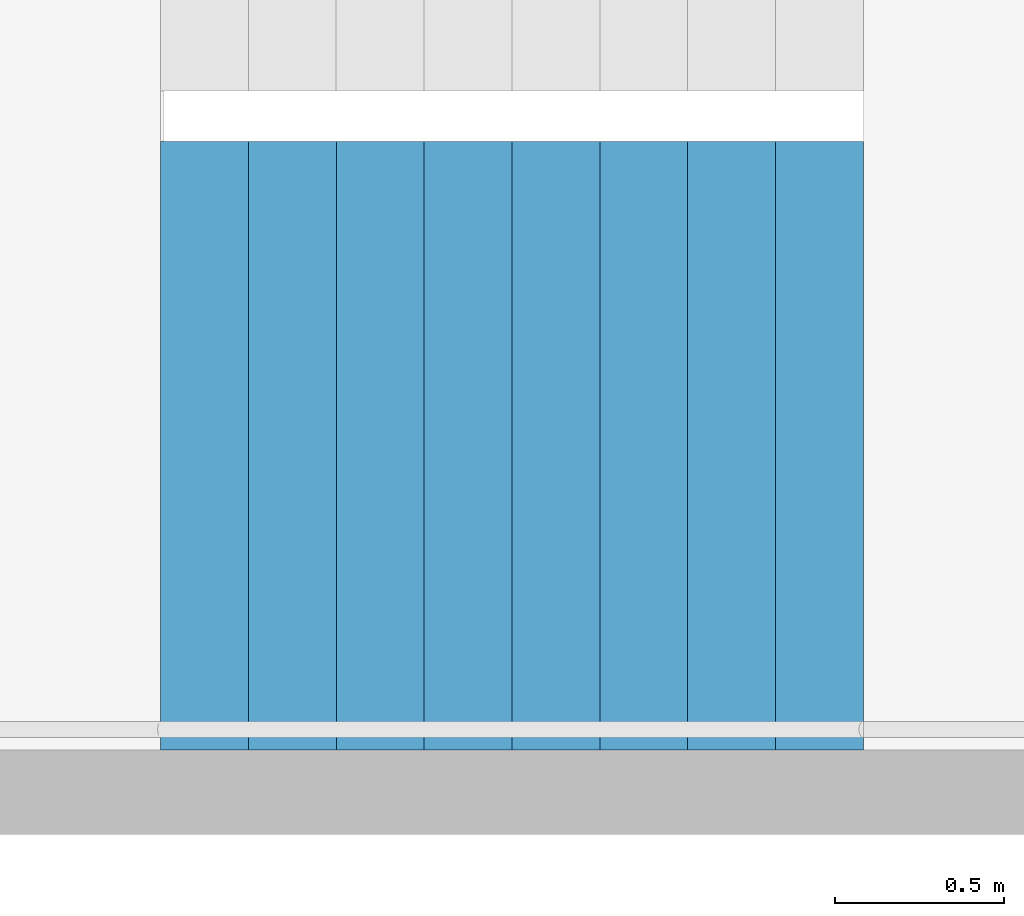
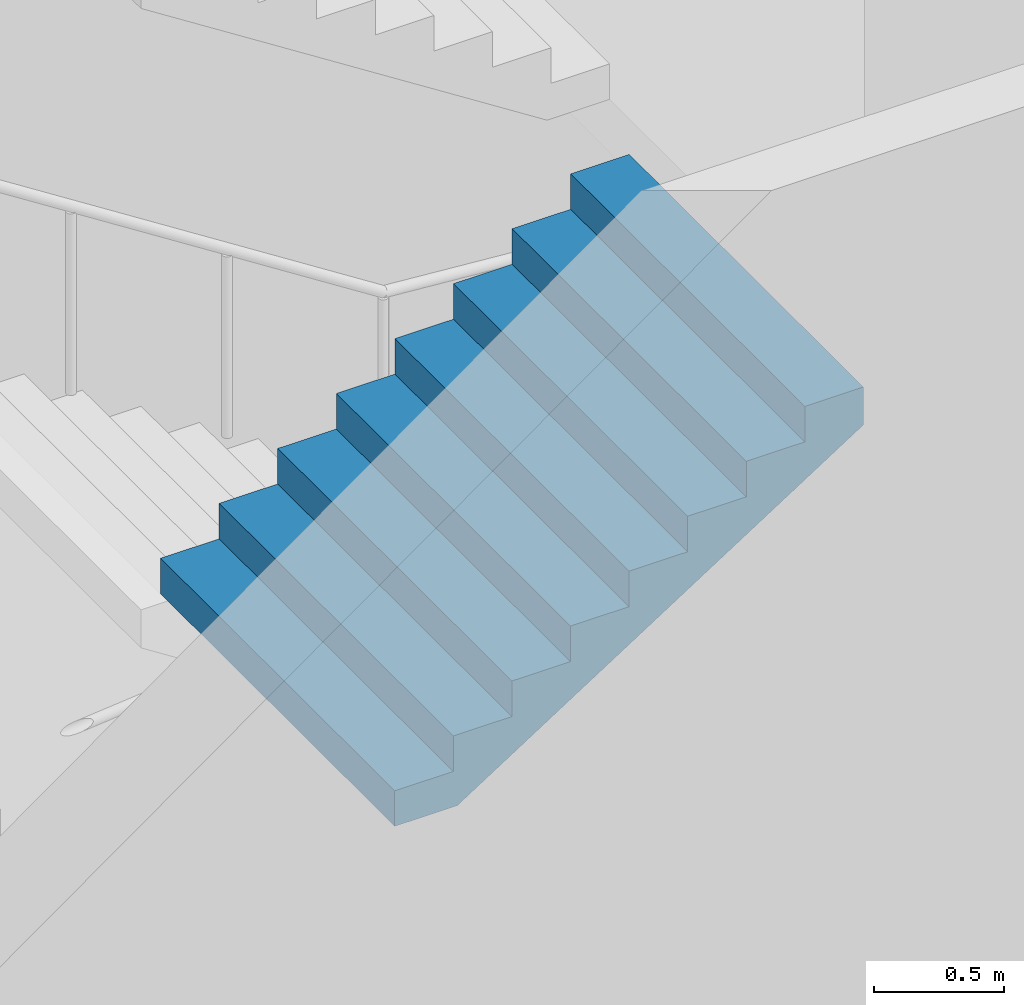
# One storey, part 55 of 100: 1 stair flight, 1 element without a shape of its own.
"""IFC4 building model written with IfcOpenShell, lengths in metres."""

from ifc_helpers import new_model, si_unit, direction, frame, origin, place, context, subcontext, project, spatial, triangles, material, type_object, element, aggregate, save


model = new_model("IFC4")

# Units and contexts
model_context = context("Model", 3, precision=1e-05, world=origin(), true_north=direction((0.0, 1.0)))
body_context = subcontext(model_context, "Body", "Model", "MODEL_VIEW")
ifc_project = project(units=[si_unit("LENGTHUNIT", "METRE"), si_unit("AREAUNIT", "SQUARE_METRE"), si_unit("VOLUMEUNIT", "CUBIC_METRE"), si_unit("PLANEANGLEUNIT", "RADIAN"), si_unit("MASSUNIT", "GRAM", prefix="KILO")], contexts=[model_context])

# Site, building, storey
site_placement = place(None, origin())
site = spatial("IfcSite", under=ifc_project, at=site_placement, CompositionType="ELEMENT")
building_placement = place(site_placement, origin())
building = spatial("IfcBuilding", under=site, at=building_placement, Name="Hakoniwa Tower and Hamabe Station Hall", CompositionType="ELEMENT")
storey_placement = place(building_placement, frame((0.0, 0.0, 9.0)))
storey = spatial("IfcBuildingStorey", under=building, at=storey_placement, Name="L02", CompositionType="ELEMENT", Elevation=9.0)

# Stair, stair flight
ifc_material_1 = material(Name="Concrete C40", Category="concrete")
stair_type = type_object("IfcStairType", Name="ESCAPE STAIR 1800", PredefinedType="HALF_TURN_STAIR", material=ifc_material_1)
stair_placement = place(storey_placement, origin())
stair = element("IfcStair", 1, at=stair_placement, inside=storey, type_object=stair_type, Name="Escape stair ST-1 L02", PredefinedType="HALF_TURN_STAIR")
ifc_material_2 = material(Name="Concrete C40", Category="concrete")
stair_flight_type = type_object("IfcStairFlightType", Name="STAIR FLIGHT 1800", PredefinedType="STRAIGHT", material=ifc_material_2)
stair_flight_placement = place(storey_placement, frame((-24.39990234375, 4.64990234375, 3.0), z_axis=(0.0, 0.0, 1.0), x_axis=(1.0, 0.0, 0.0)))
stair_flight = element("IfcStairFlight", 2, at=stair_flight_placement, type_object=stair_flight_type, Name="ST-1 flight 3", NumberOfRisers=9, NumberOfTreads=8, PredefinedType="STRAIGHT", RiserHeight=0.166666667, TreadLength=0.26, context=body_context, shape_type="Tessellation", body=[
    triangles([(0.0, 0.89990234375, 0.0), (0.260009765625, 0.89990234375, 0.0), (0.27783203125, 0.89990234375, 0.0), (0.52001953125, 0.89990234375, 0.1552734375), (0.780029296875, 0.89990234375, 0.322021484375), (1.0400390625, 0.89990234375, 0.488525390625), (1.300048828125, 0.89990234375, 0.6552734375), (1.56005859375, 0.89990234375, 0.822021484375), (1.820068359375, 0.89990234375, 0.988525390625), (2.080078125, 0.89990234375, 1.1552734375), (2.080078125, 0.89990234375, 1.333251953125), (1.820068359375, 0.89990234375, 1.333251953125), (1.820068359375, 0.89990234375, 1.166748046875), (1.56005859375, 0.89990234375, 1.166748046875), (1.56005859375, 0.89990234375, 1.0), (1.300048828125, 0.89990234375, 1.0), (1.300048828125, 0.89990234375, 0.833251953125), (1.0400390625, 0.89990234375, 0.833251953125), (1.0400390625, 0.89990234375, 0.666748046875), (0.780029296875, 0.89990234375, 0.666748046875), (0.780029296875, 0.89990234375, 0.5), (0.52001953125, 0.89990234375, 0.5), (0.52001953125, 0.89990234375, 0.333251953125), (0.27783203125, 0.89990234375, 0.333251953125), (0.260009765625, 0.89990234375, 0.333251953125), (0.260009765625, 0.89990234375, 0.166748046875), (0.0, 0.89990234375, 0.166748046875), (0.0, 0.06005859375, 0.0), (0.260009765625, 0.06005859375, 0.0), (0.27783203125, 0.06005859375, 0.0), (0.52001953125, 0.06005859375, 0.1552734375), (0.780029296875, 0.06005859375, 0.322021484375), (1.0400390625, 0.06005859375, 0.488525390625), (1.300048828125, 0.06005859375, 0.6552734375), (1.56005859375, 0.06005859375, 0.822021484375), (1.820068359375, 0.06005859375, 0.988525390625), (2.080078125, 0.06005859375, 1.1552734375), (2.080078125, 0.06005859375, 1.333251953125), (1.820068359375, 0.06005859375, 1.333251953125), (1.820068359375, 0.06005859375, 1.166748046875), (1.56005859375, 0.06005859375, 1.166748046875), (1.56005859375, 0.06005859375, 1.0), (1.300048828125, 0.06005859375, 1.0), (1.300048828125, 0.06005859375, 0.833251953125), (1.0400390625, 0.06005859375, 0.833251953125), (1.0400390625, 0.06005859375, 0.666748046875), (0.780029296875, 0.06005859375, 0.666748046875), (0.780029296875, 0.06005859375, 0.5), (0.52001953125, 0.06005859375, 0.5), (0.52001953125, 0.06005859375, 0.333251953125), (0.27783203125, 0.06005859375, 0.333251953125), (0.260009765625, 0.06005859375, 0.333251953125), (0.260009765625, 0.06005859375, 0.166748046875), (0.0, 0.06005859375, 0.166748046875), (0.0, 0.04296875, 0.0), (0.260009765625, 0.04296875, 0.0), (0.27783203125, 0.04296875, 0.0), (0.52001953125, 0.04296875, 0.1552734375), (0.780029296875, 0.04296875, 0.322021484375), (1.0400390625, 0.04296875, 0.488525390625), (1.300048828125, 0.04296875, 0.6552734375), (1.56005859375, 0.04296875, 0.822021484375), (1.820068359375, 0.04296875, 0.988525390625), (2.080078125, 0.04296875, 1.1552734375), (2.080078125, 0.04296875, 1.333251953125), (1.820068359375, 0.04296875, 1.333251953125), (1.820068359375, 0.04296875, 1.166748046875), (1.56005859375, 0.04296875, 1.166748046875), (1.56005859375, 0.04296875, 1.0), (1.300048828125, 0.04296875, 1.0), (1.300048828125, 0.04296875, 0.833251953125), (1.0400390625, 0.04296875, 0.833251953125), (1.0400390625, 0.04296875, 0.666748046875), (0.780029296875, 0.04296875, 0.666748046875), (0.780029296875, 0.04296875, 0.5), (0.52001953125, 0.04296875, 0.5), (0.52001953125, 0.04296875, 0.333251953125), (0.27783203125, 0.04296875, 0.333251953125), (0.260009765625, 0.04296875, 0.333251953125), (0.260009765625, 0.04296875, 0.166748046875), (0.0, 0.04296875, 0.166748046875), (0.0, 0.025634765625, 0.0), (0.260009765625, 0.025634765625, 0.0), (0.27783203125, 0.025634765625, 0.0), (0.52001953125, 0.025634765625, 0.1552734375), (0.780029296875, 0.025634765625, 0.322021484375), (1.0400390625, 0.025634765625, 0.488525390625), (1.300048828125, 0.025634765625, 0.6552734375), (1.56005859375, 0.025634765625, 0.822021484375), (1.820068359375, 0.025634765625, 0.988525390625), (2.080078125, 0.025634765625, 1.1552734375), (2.080078125, 0.025634765625, 1.333251953125), (1.820068359375, 0.025634765625, 1.333251953125), (1.820068359375, 0.025634765625, 1.166748046875), (1.56005859375, 0.025634765625, 1.166748046875), (1.56005859375, 0.025634765625, 1.0), (1.300048828125, 0.025634765625, 1.0), (1.300048828125, 0.025634765625, 0.833251953125), (1.0400390625, 0.025634765625, 0.833251953125), (1.0400390625, 0.025634765625, 0.666748046875), (0.780029296875, 0.025634765625, 0.666748046875), (0.780029296875, 0.025634765625, 0.5), (0.52001953125, 0.025634765625, 0.5), (0.52001953125, 0.025634765625, 0.333251953125), (0.27783203125, 0.025634765625, 0.333251953125), (0.260009765625, 0.025634765625, 0.333251953125), (0.260009765625, 0.025634765625, 0.166748046875), (0.0, 0.025634765625, 0.166748046875), (0.0, 0.008544921875, 0.0), (0.260009765625, 0.008544921875, 0.0), (0.27783203125, 0.008544921875, 0.0), (0.52001953125, 0.008544921875, 0.1552734375), (0.780029296875, 0.008544921875, 0.322021484375), (1.0400390625, 0.008544921875, 0.488525390625), (1.300048828125, 0.008544921875, 0.6552734375), (1.56005859375, 0.008544921875, 0.822021484375), (1.820068359375, 0.008544921875, 0.988525390625), (2.080078125, 0.008544921875, 1.1552734375), (2.080078125, 0.008544921875, 1.333251953125), (1.820068359375, 0.008544921875, 1.333251953125), (1.820068359375, 0.008544921875, 1.166748046875), (1.56005859375, 0.008544921875, 1.166748046875), (1.56005859375, 0.008544921875, 1.0), (1.300048828125, 0.008544921875, 1.0), (1.300048828125, 0.008544921875, 0.833251953125), (1.0400390625, 0.008544921875, 0.833251953125), (1.0400390625, 0.008544921875, 0.666748046875), (0.780029296875, 0.008544921875, 0.666748046875), (0.780029296875, 0.008544921875, 0.5), (0.52001953125, 0.008544921875, 0.5), (0.52001953125, 0.008544921875, 0.333251953125), (0.27783203125, 0.008544921875, 0.333251953125), (0.260009765625, 0.008544921875, 0.333251953125), (0.260009765625, 0.008544921875, 0.166748046875), (0.0, 0.008544921875, 0.166748046875), (0.0, -0.008544921875, 0.0), (0.260009765625, -0.008544921875, 0.0), (0.27783203125, -0.008544921875, 0.0), (0.52001953125, -0.008544921875, 0.1552734375), (0.780029296875, -0.008544921875, 0.322021484375), (1.0400390625, -0.008544921875, 0.488525390625), (1.300048828125, -0.008544921875, 0.6552734375), (1.56005859375, -0.008544921875, 0.822021484375), (1.820068359375, -0.008544921875, 0.988525390625), (2.080078125, -0.008544921875, 1.1552734375), (2.080078125, -0.008544921875, 1.333251953125), (1.820068359375, -0.008544921875, 1.333251953125), (1.820068359375, -0.008544921875, 1.166748046875), (1.56005859375, -0.008544921875, 1.166748046875), (1.56005859375, -0.008544921875, 1.0), (1.300048828125, -0.008544921875, 1.0), (1.300048828125, -0.008544921875, 0.833251953125), (1.0400390625, -0.008544921875, 0.833251953125), (1.0400390625, -0.008544921875, 0.666748046875), (0.780029296875, -0.008544921875, 0.666748046875), (0.780029296875, -0.008544921875, 0.5), (0.52001953125, -0.008544921875, 0.5), (0.52001953125, -0.008544921875, 0.333251953125), (0.27783203125, -0.008544921875, 0.333251953125), (0.260009765625, -0.008544921875, 0.333251953125), (0.260009765625, -0.008544921875, 0.166748046875), (0.0, -0.008544921875, 0.166748046875), (0.0, -0.025634765625, 0.0), (0.260009765625, -0.025634765625, 0.0), (0.27783203125, -0.025634765625, 0.0), (0.52001953125, -0.025634765625, 0.1552734375), (0.780029296875, -0.025634765625, 0.322021484375), (1.0400390625, -0.025634765625, 0.488525390625), (1.300048828125, -0.025634765625, 0.6552734375), (1.56005859375, -0.025634765625, 0.822021484375), (1.820068359375, -0.025634765625, 0.988525390625), (2.080078125, -0.025634765625, 1.1552734375), (2.080078125, -0.025634765625, 1.333251953125), (1.820068359375, -0.025634765625, 1.333251953125), (1.820068359375, -0.025634765625, 1.166748046875), (1.56005859375, -0.025634765625, 1.166748046875), (1.56005859375, -0.025634765625, 1.0), (1.300048828125, -0.025634765625, 1.0), (1.300048828125, -0.025634765625, 0.833251953125), (1.0400390625, -0.025634765625, 0.833251953125), (1.0400390625, -0.025634765625, 0.666748046875), (0.780029296875, -0.025634765625, 0.666748046875), (0.780029296875, -0.025634765625, 0.5), (0.52001953125, -0.025634765625, 0.5), (0.52001953125, -0.025634765625, 0.333251953125), (0.27783203125, -0.025634765625, 0.333251953125), (0.260009765625, -0.025634765625, 0.333251953125), (0.260009765625, -0.025634765625, 0.166748046875), (0.0, -0.025634765625, 0.166748046875), (0.0, -0.04296875, 0.0), (0.260009765625, -0.04296875, 0.0), (0.27783203125, -0.04296875, 0.0), (0.52001953125, -0.04296875, 0.1552734375), (0.780029296875, -0.04296875, 0.322021484375), (1.0400390625, -0.04296875, 0.488525390625), (1.300048828125, -0.04296875, 0.6552734375), (1.56005859375, -0.04296875, 0.822021484375), (1.820068359375, -0.04296875, 0.988525390625), (2.080078125, -0.04296875, 1.1552734375), (2.080078125, -0.04296875, 1.333251953125), (1.820068359375, -0.04296875, 1.333251953125), (1.820068359375, -0.04296875, 1.166748046875), (1.56005859375, -0.04296875, 1.166748046875), (1.56005859375, -0.04296875, 1.0), (1.300048828125, -0.04296875, 1.0), (1.300048828125, -0.04296875, 0.833251953125), (1.0400390625, -0.04296875, 0.833251953125), (1.0400390625, -0.04296875, 0.666748046875), (0.780029296875, -0.04296875, 0.666748046875), (0.780029296875, -0.04296875, 0.5), (0.52001953125, -0.04296875, 0.5), (0.52001953125, -0.04296875, 0.333251953125), (0.27783203125, -0.04296875, 0.333251953125), (0.260009765625, -0.04296875, 0.333251953125), (0.260009765625, -0.04296875, 0.166748046875), (0.0, -0.04296875, 0.166748046875), (0.0, -0.06005859375, 0.0), (0.260009765625, -0.06005859375, 0.0), (0.27783203125, -0.06005859375, 0.0), (0.52001953125, -0.06005859375, 0.1552734375), (0.780029296875, -0.06005859375, 0.322021484375), (1.0400390625, -0.06005859375, 0.488525390625), (1.300048828125, -0.06005859375, 0.6552734375), (1.56005859375, -0.06005859375, 0.822021484375), (1.820068359375, -0.06005859375, 0.988525390625), (2.080078125, -0.06005859375, 1.1552734375), (2.080078125, -0.06005859375, 1.333251953125), (1.820068359375, -0.06005859375, 1.333251953125), (1.820068359375, -0.06005859375, 1.166748046875), (1.56005859375, -0.06005859375, 1.166748046875), (1.56005859375, -0.06005859375, 1.0), (1.300048828125, -0.06005859375, 1.0), (1.300048828125, -0.06005859375, 0.833251953125), (1.0400390625, -0.06005859375, 0.833251953125), (1.0400390625, -0.06005859375, 0.666748046875), (0.780029296875, -0.06005859375, 0.666748046875), (0.780029296875, -0.06005859375, 0.5), (0.52001953125, -0.06005859375, 0.5), (0.52001953125, -0.06005859375, 0.333251953125), (0.27783203125, -0.06005859375, 0.333251953125), (0.260009765625, -0.06005859375, 0.333251953125), (0.260009765625, -0.06005859375, 0.166748046875), (0.0, -0.06005859375, 0.166748046875), (0.0, -0.89990234375, 0.0), (0.260009765625, -0.89990234375, 0.0), (0.27783203125, -0.89990234375, 0.0), (0.52001953125, -0.89990234375, 0.1552734375), (0.780029296875, -0.89990234375, 0.322021484375), (1.0400390625, -0.89990234375, 0.488525390625), (1.300048828125, -0.89990234375, 0.6552734375), (1.56005859375, -0.89990234375, 0.822021484375), (1.820068359375, -0.89990234375, 0.988525390625), (2.080078125, -0.89990234375, 1.1552734375), (2.080078125, -0.89990234375, 1.333251953125), (1.820068359375, -0.89990234375, 1.333251953125), (1.820068359375, -0.89990234375, 1.166748046875), (1.56005859375, -0.89990234375, 1.166748046875), (1.56005859375, -0.89990234375, 1.0), (1.300048828125, -0.89990234375, 1.0), (1.300048828125, -0.89990234375, 0.833251953125), (1.0400390625, -0.89990234375, 0.833251953125), (1.0400390625, -0.89990234375, 0.666748046875), (0.780029296875, -0.89990234375, 0.666748046875), (0.780029296875, -0.89990234375, 0.5), (0.52001953125, -0.89990234375, 0.5), (0.52001953125, -0.89990234375, 0.333251953125), (0.27783203125, -0.89990234375, 0.333251953125), (0.260009765625, -0.89990234375, 0.333251953125), (0.260009765625, -0.89990234375, 0.166748046875), (0.0, -0.89990234375, 0.166748046875)], [[2, 27, 26], [245, 269, 270], [2, 1, 27], [245, 270, 244], [3, 25, 24], [246, 267, 268], [3, 26, 25], [246, 268, 269], [3, 2, 26], [246, 269, 245], [4, 24, 23], [247, 266, 267], [4, 3, 24], [247, 267, 246], [5, 22, 21], [248, 264, 265], [5, 23, 22], [248, 265, 266], [5, 4, 23], [248, 266, 247], [6, 20, 19], [249, 262, 263], [6, 21, 20], [249, 263, 264], [6, 5, 21], [249, 264, 248], [7, 18, 17], [250, 260, 261], [7, 19, 18], [250, 261, 262], [7, 6, 19], [250, 262, 249], [8, 16, 15], [251, 258, 259], [8, 17, 16], [251, 259, 260], [8, 7, 17], [251, 260, 250], [9, 14, 13], [252, 256, 257], [9, 15, 14], [252, 257, 258], [9, 8, 15], [252, 258, 251], [10, 12, 11], [253, 254, 255], [10, 13, 12], [253, 255, 256], [10, 9, 13], [253, 256, 252], [1, 2, 29], [1, 29, 28], [28, 29, 56], [28, 56, 55], [55, 56, 83], [55, 83, 82], [82, 83, 110], [82, 110, 109], [109, 110, 137], [109, 137, 136], [136, 137, 164], [136, 164, 163], [163, 164, 191], [163, 191, 190], [190, 191, 218], [190, 218, 217], [217, 218, 245], [217, 245, 244], [2, 3, 30], [2, 30, 29], [29, 30, 57], [29, 57, 56], [56, 57, 84], [56, 84, 83], [83, 84, 111], [83, 111, 110], [110, 111, 138], [110, 138, 137], [137, 138, 165], [137, 165, 164], [164, 165, 192], [164, 192, 191], [191, 192, 219], [191, 219, 218], [218, 219, 246], [218, 246, 245], [3, 4, 31], [3, 31, 30], [30, 31, 58], [30, 58, 57], [57, 58, 85], [57, 85, 84], [84, 85, 112], [84, 112, 111], [111, 112, 139], [111, 139, 138], [138, 139, 166], [138, 166, 165], [165, 166, 193], [165, 193, 192], [192, 193, 220], [192, 220, 219], [219, 220, 247], [219, 247, 246], [4, 5, 32], [4, 32, 31], [31, 32, 59], [31, 59, 58], [58, 59, 86], [58, 86, 85], [85, 86, 113], [85, 113, 112], [112, 113, 140], [112, 140, 139], [139, 140, 167], [139, 167, 166], [166, 167, 194], [166, 194, 193], [193, 194, 221], [193, 221, 220], [220, 221, 248], [220, 248, 247], [5, 6, 33], [5, 33, 32], [32, 33, 60], [32, 60, 59], [59, 60, 87], [59, 87, 86], [86, 87, 114], [86, 114, 113], [113, 114, 141], [113, 141, 140], [140, 141, 168], [140, 168, 167], [167, 168, 195], [167, 195, 194], [194, 195, 222], [194, 222, 221], [221, 222, 249], [221, 249, 248], [6, 7, 34], [6, 34, 33], [33, 34, 61], [33, 61, 60], [60, 61, 88], [60, 88, 87], [87, 88, 115], [87, 115, 114], [114, 115, 142], [114, 142, 141], [141, 142, 169], [141, 169, 168], [168, 169, 196], [168, 196, 195], [195, 196, 223], [195, 223, 222], [222, 223, 250], [222, 250, 249], [7, 8, 35], [7, 35, 34], [34, 35, 62], [34, 62, 61], [61, 62, 89], [61, 89, 88], [88, 89, 116], [88, 116, 115], [115, 116, 143], [115, 143, 142], [142, 143, 170], [142, 170, 169], [169, 170, 197], [169, 197, 196], [196, 197, 224], [196, 224, 223], [223, 224, 251], [223, 251, 250], [8, 9, 36], [8, 36, 35], [35, 36, 63], [35, 63, 62], [62, 63, 90], [62, 90, 89], [89, 90, 117], [89, 117, 116], [116, 117, 144], [116, 144, 143], [143, 144, 171], [143, 171, 170], [170, 171, 198], [170, 198, 197], [197, 198, 225], [197, 225, 224], [224, 225, 252], [224, 252, 251], [9, 10, 37], [9, 37, 36], [36, 37, 64], [36, 64, 63], [63, 64, 91], [63, 91, 90], [90, 91, 118], [90, 118, 117], [117, 118, 145], [117, 145, 144], [144, 145, 172], [144, 172, 171], [171, 172, 199], [171, 199, 198], [198, 199, 226], [198, 226, 225], [225, 226, 253], [225, 253, 252], [10, 11, 38], [10, 38, 37], [37, 38, 65], [37, 65, 64], [64, 65, 92], [64, 92, 91], [91, 92, 119], [91, 119, 118], [118, 119, 146], [118, 146, 145], [145, 146, 173], [145, 173, 172], [172, 173, 200], [172, 200, 199], [199, 200, 227], [199, 227, 226], [226, 227, 254], [226, 254, 253], [11, 12, 39], [11, 39, 38], [38, 39, 66], [38, 66, 65], [65, 66, 93], [65, 93, 92], [92, 93, 120], [92, 120, 119], [119, 120, 147], [119, 147, 146], [146, 147, 174], [146, 174, 173], [173, 174, 201], [173, 201, 200], [200, 201, 228], [200, 228, 227], [227, 228, 255], [227, 255, 254], [12, 13, 40], [12, 40, 39], [39, 40, 67], [39, 67, 66], [66, 67, 94], [66, 94, 93], [93, 94, 121], [93, 121, 120], [120, 121, 148], [120, 148, 147], [147, 148, 175], [147, 175, 174], [174, 175, 202], [174, 202, 201], [201, 202, 229], [201, 229, 228], [228, 229, 256], [228, 256, 255], [13, 14, 41], [13, 41, 40], [40, 41, 68], [40, 68, 67], [67, 68, 95], [67, 95, 94], [94, 95, 122], [94, 122, 121], [121, 122, 149], [121, 149, 148], [148, 149, 176], [148, 176, 175], [175, 176, 203], [175, 203, 202], [202, 203, 230], [202, 230, 229], [229, 230, 257], [229, 257, 256], [14, 15, 42], [14, 42, 41], [41, 42, 69], [41, 69, 68], [68, 69, 96], [68, 96, 95], [95, 96, 123], [95, 123, 122], [122, 123, 150], [122, 150, 149], [149, 150, 177], [149, 177, 176], [176, 177, 204], [176, 204, 203], [203, 204, 231], [203, 231, 230], [230, 231, 258], [230, 258, 257], [15, 16, 43], [15, 43, 42], [42, 43, 70], [42, 70, 69], [69, 70, 97], [69, 97, 96], [96, 97, 124], [96, 124, 123], [123, 124, 151], [123, 151, 150], [150, 151, 178], [150, 178, 177], [177, 178, 205], [177, 205, 204], [204, 205, 232], [204, 232, 231], [231, 232, 259], [231, 259, 258], [16, 17, 44], [16, 44, 43], [43, 44, 71], [43, 71, 70], [70, 71, 98], [70, 98, 97], [97, 98, 125], [97, 125, 124], [124, 125, 152], [124, 152, 151], [151, 152, 179], [151, 179, 178], [178, 179, 206], [178, 206, 205], [205, 206, 233], [205, 233, 232], [232, 233, 260], [232, 260, 259], [17, 18, 45], [17, 45, 44], [44, 45, 72], [44, 72, 71], [71, 72, 99], [71, 99, 98], [98, 99, 126], [98, 126, 125], [125, 126, 153], [125, 153, 152], [152, 153, 180], [152, 180, 179], [179, 180, 207], [179, 207, 206], [206, 207, 234], [206, 234, 233], [233, 234, 261], [233, 261, 260], [18, 19, 46], [18, 46, 45], [45, 46, 73], [45, 73, 72], [72, 73, 100], [72, 100, 99], [99, 100, 127], [99, 127, 126], [126, 127, 154], [126, 154, 153], [153, 154, 181], [153, 181, 180], [180, 181, 208], [180, 208, 207], [207, 208, 235], [207, 235, 234], [234, 235, 262], [234, 262, 261], [19, 20, 47], [19, 47, 46], [46, 47, 74], [46, 74, 73], [73, 74, 101], [73, 101, 100], [100, 101, 128], [100, 128, 127], [127, 128, 155], [127, 155, 154], [154, 155, 182], [154, 182, 181], [181, 182, 209], [181, 209, 208], [208, 209, 236], [208, 236, 235], [235, 236, 263], [235, 263, 262], [20, 21, 48], [20, 48, 47], [47, 48, 75], [47, 75, 74], [74, 75, 102], [74, 102, 101], [101, 102, 129], [101, 129, 128], [128, 129, 156], [128, 156, 155], [155, 156, 183], [155, 183, 182], [182, 183, 210], [182, 210, 209], [209, 210, 237], [209, 237, 236], [236, 237, 264], [236, 264, 263], [21, 22, 49], [21, 49, 48], [48, 49, 76], [48, 76, 75], [75, 76, 103], [75, 103, 102], [102, 103, 130], [102, 130, 129], [129, 130, 157], [129, 157, 156], [156, 157, 184], [156, 184, 183], [183, 184, 211], [183, 211, 210], [210, 211, 238], [210, 238, 237], [237, 238, 265], [237, 265, 264], [22, 23, 50], [22, 50, 49], [49, 50, 77], [49, 77, 76], [76, 77, 104], [76, 104, 103], [103, 104, 131], [103, 131, 130], [130, 131, 158], [130, 158, 157], [157, 158, 185], [157, 185, 184], [184, 185, 212], [184, 212, 211], [211, 212, 239], [211, 239, 238], [238, 239, 266], [238, 266, 265], [23, 24, 51], [23, 51, 50], [50, 51, 78], [50, 78, 77], [77, 78, 105], [77, 105, 104], [104, 105, 132], [104, 132, 131], [131, 132, 159], [131, 159, 158], [158, 159, 186], [158, 186, 185], [185, 186, 213], [185, 213, 212], [212, 213, 240], [212, 240, 239], [239, 240, 267], [239, 267, 266], [24, 25, 52], [24, 52, 51], [51, 52, 79], [51, 79, 78], [78, 79, 106], [78, 106, 105], [105, 106, 133], [105, 133, 132], [132, 133, 160], [132, 160, 159], [159, 160, 187], [159, 187, 186], [186, 187, 214], [186, 214, 213], [213, 214, 241], [213, 241, 240], [240, 241, 268], [240, 268, 267], [25, 26, 53], [25, 53, 52], [52, 53, 80], [52, 80, 79], [79, 80, 107], [79, 107, 106], [106, 107, 134], [106, 134, 133], [133, 134, 161], [133, 161, 160], [160, 161, 188], [160, 188, 187], [187, 188, 215], [187, 215, 214], [214, 215, 242], [214, 242, 241], [241, 242, 269], [241, 269, 268], [26, 27, 54], [26, 54, 53], [53, 54, 81], [53, 81, 80], [80, 81, 108], [80, 108, 107], [107, 108, 135], [107, 135, 134], [134, 135, 162], [134, 162, 161], [161, 162, 189], [161, 189, 188], [188, 189, 216], [188, 216, 215], [215, 216, 243], [215, 243, 242], [242, 243, 270], [242, 270, 269], [27, 1, 28], [27, 28, 54], [54, 28, 55], [54, 55, 81], [81, 55, 82], [81, 82, 108], [108, 82, 109], [108, 109, 135], [135, 109, 136], [135, 136, 162], [162, 136, 163], [162, 163, 189], [189, 163, 190], [189, 190, 216], [216, 190, 217], [216, 217, 243], [243, 217, 244], [243, 244, 270]], closed=True),
])
aggregate(stair, [stair_flight])

save(model, "model.ifc")
